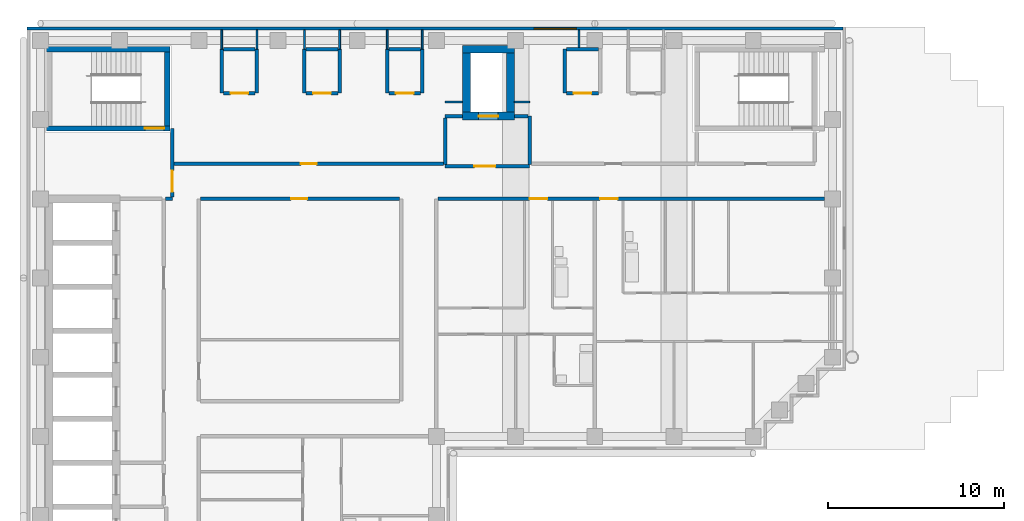
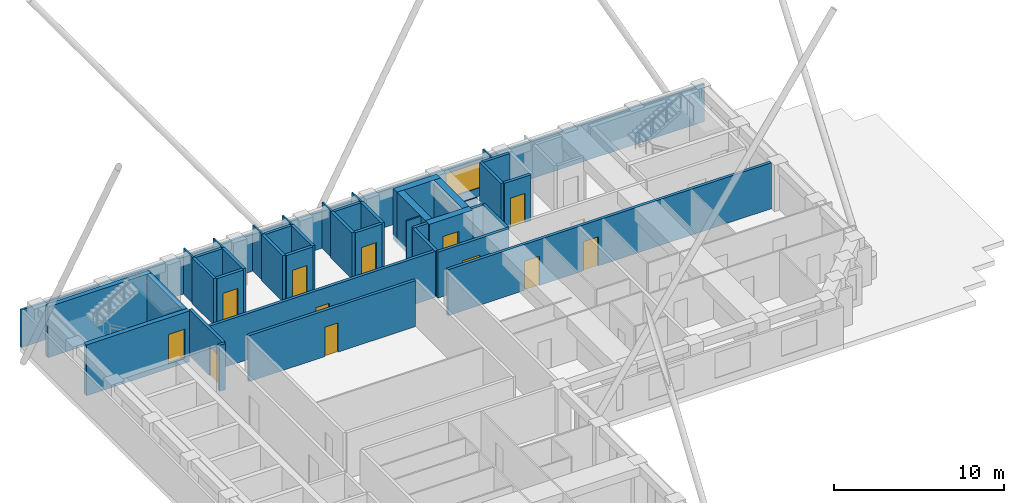
# One storey, part 5 of 8: 42 walls, 12 doors, 1 window, 13 openings.
"""IFC4 building model written with IfcOpenShell, lengths in metres."""

import ifcopenshell
import ifcopenshell.guid

model = None  # the IFC model being written
_history = None  # IfcOwnerHistory: only IFC2X3 demands one
_inside = {}  # id of a spatial element -> (the spatial element, [elements in it])
_under = {}  # id of a project, library or spatial element -> (it, [spatial elements below it])
_declared = {}  # id of a project -> (the project, [libraries it declares])
_typed = {}  # id of a type object -> (the type object, [elements of that type])
_made_of = {}  # id of a material, layer set ... -> (it, [elements and type objects made of it])


def new_model(schema):
    """Start an empty IFC model of exactly this schema.

    Asked for "IFC4X3", IfcOpenShell would pick the latest addendum, in which some entities
    have other attributes; the version numbers below select the first issue.
    IFC2X3 requires an IfcOwnerHistory on every rooted entity: one is made here for all.
    """
    global model, _history
    if schema == "IFC4X3":
        model = ifcopenshell.file(schema_version=(4, 3, 0, 0))
    else:
        model = ifcopenshell.file(schema=schema)
    _inside.clear()
    _under.clear()
    _declared.clear()
    _typed.clear()
    _made_of.clear()
    _history = None
    if model.schema == "IFC2X3":
        org = make("IfcOrganization", Name="unknown")
        user = make(
            "IfcPersonAndOrganization",
            ThePerson=make("IfcPerson", FamilyName="unknown"),
            TheOrganization=org,
        )
        app = make(
            "IfcApplication",
            ApplicationDeveloper=org,
            Version="unknown",
            ApplicationFullName="unknown",
            ApplicationIdentifier="unknown",
        )
        _history = make(
            "IfcOwnerHistory",
            OwningUser=user,
            OwningApplication=app,
            ChangeAction="ADDED",
            CreationDate=0,
        )
    return model


def make(cls, **values):
    """One entity of the class cls with the attributes given. An attribute that is None is left unset."""
    return model.create_entity(
        cls, **{name: value for name, value in values.items() if value is not None}
    )


def rooted(cls, **values):
    """An entity with a GlobalId (a new one), such as an element, a storey or a relation."""
    return make(cls, GlobalId=ifcopenshell.guid.new(), OwnerHistory=_history, **values)


def si_unit(unit_type, name, prefix=None):
    """IfcSIUnit, for example si_unit("LENGTHUNIT", "METRE", prefix="MILLI")."""
    return make("IfcSIUnit", UnitType=unit_type, Prefix=prefix, Name=name)


def assignment(units):
    """IfcUnitAssignment: the units of a project."""
    return None if units is None else make("IfcUnitAssignment", Units=units)


def point(xyz):
    """IfcCartesianPoint."""
    return None if xyz is None else make("IfcCartesianPoint", Coordinates=xyz)


def direction(xyz):
    """IfcDirection."""
    return None if xyz is None else make("IfcDirection", DirectionRatios=xyz)


def frame(location, z_axis=None, x_axis=None):
    """IfcAxis2Placement3D, a coordinate frame: its origin and axes. An axis left out is left unset."""
    return make(
        "IfcAxis2Placement3D",
        Location=point(location),
        Axis=direction(z_axis),
        RefDirection=direction(x_axis),
    )


def frame_2d(location, x_axis=None):
    """IfcAxis2Placement2D, a coordinate frame in the plane: its origin and x axis."""
    return make(
        "IfcAxis2Placement2D", Location=point(location), RefDirection=direction(x_axis)
    )


def origin():
    """The frame at (0, 0, 0) with its axes left unset."""
    return frame((0.0, 0.0, 0.0))


def place(relative_to, where):
    """IfcLocalPlacement: puts the frame where relative to a parent placement (None: the world)."""
    return make(
        "IfcLocalPlacement", PlacementRelTo=relative_to, RelativePlacement=where
    )


def context(
    kind, dimensions, precision=None, world=None, true_north=None, identifier=None
):
    """IfcGeometricRepresentationContext, for example the 3D "Model" context."""
    return make(
        "IfcGeometricRepresentationContext",
        ContextIdentifier=identifier,
        ContextType=kind,
        CoordinateSpaceDimension=dimensions,
        Precision=precision,
        WorldCoordinateSystem=world,
        TrueNorth=true_north,
    )


def subcontext(parent, identifier, kind, view, scale=None):
    """IfcGeometricRepresentationSubContext, for example "Body" below "Model"."""
    return make(
        "IfcGeometricRepresentationSubContext",
        ContextIdentifier=identifier,
        ContextType=kind,
        ParentContext=parent,
        TargetScale=scale,
        TargetView=view,
    )


def project(units=None, contexts=None):
    """IfcProject with its units and contexts."""
    return rooted(
        "IfcProject",
        Name="project",
        RepresentationContexts=contexts,
        UnitsInContext=assignment(units),
    )


def spatial(cls, under=None, at=None, **own):
    """A site, building, storey or space (cls), placed at a placement, below another one or the project."""
    s = rooted(cls, ObjectPlacement=at, **own)
    if under is not None:
        _under.setdefault(under.id(), (under, []))[1].append(s)
    return s


def profile(cls, at=None, kind="AREA", **sizes):
    """A parametric profile (cls). Its sizes go by their IFC names, for example OverallWidth=200.0."""
    return make(cls, ProfileType=kind, Position=at, **sizes)


def rectangle(**sizes):
    """IfcRectangleProfileDef."""
    return profile("IfcRectangleProfileDef", **sizes)


def extrude(swept, where, along, depth):
    """IfcExtrudedAreaSolid: the profile swept, set in the frame where, extruded along a direction by depth."""
    return make(
        "IfcExtrudedAreaSolid",
        SweptArea=swept,
        Position=where,
        ExtrudedDirection=direction(along),
        Depth=depth,
    )


def shape(context_of_items, identifier, shape_type, items):
    """IfcShapeRepresentation: the items that make up one representation, for example the "Body"."""
    return make(
        "IfcShapeRepresentation",
        ContextOfItems=context_of_items,
        RepresentationIdentifier=identifier,
        RepresentationType=shape_type,
        Items=items,
    )


def material(Name=None, Category=None):
    """IfcMaterial."""
    return make("IfcMaterial", Name=Name, Category=Category)


def layer(
    of_material, thickness, ventilated=None, Name=None, Category=None, Priority=None
):
    """IfcMaterialLayer: one layer of a wall or slab, of a material (None: an air gap)."""
    return make(
        "IfcMaterialLayer",
        Material=of_material,
        LayerThickness=thickness,
        IsVentilated=ventilated,
        Name=Name,
        Category=Category,
        Priority=Priority,
    )


def layer_set(layers, Name=None):
    """IfcMaterialLayerSet."""
    return make("IfcMaterialLayerSet", MaterialLayers=layers, LayerSetName=Name)


def made_of(thing, what):
    """Note that an element or type object is made of a material, layer set ...; save() writes the relation."""
    if what is not None:
        _made_of.setdefault(what.id(), (what, []))[1].append(thing)
    return thing


def type_object(cls, material=None, **own):
    """A type object (cls), such as IfcWallType, which elements share."""
    return made_of(rooted(cls, **own), material)


def element(
    cls,
    number,
    at=None,
    inside=None,
    cuts=None,
    type_object=None,
    material=None,
    context=None,
    identifier="Body",
    shape_type=None,
    held_by="IfcProductDefinitionShape",
    body=None,
    shapes=None,
    **own,
):
    """One element of the class cls, such as IfcWall. Its Tag is "e" and its number.

    at: its placement. inside: the storey or other place that contains it. cuts: it is an
    opening in that element (IfcRelVoidsElement). A single representation is given by context,
    identifier, shape_type and body (its items); several are given by shapes. held_by: the class
    of the entity that holds the representations. save() writes the other relations.
    """
    e = rooted(cls, Tag="e%d" % number, ObjectPlacement=at, **own)
    if body is not None:
        shapes = [shape(context, identifier, shape_type, body)]
    if shapes is not None:
        e.Representation = make(held_by, Representations=shapes)
    if inside is not None:
        _inside.setdefault(inside.id(), (inside, []))[1].append(e)
    if cuts is not None:
        rooted(
            "IfcRelVoidsElement", RelatingBuildingElement=cuts, RelatedOpeningElement=e
        )
    if type_object is not None:
        _typed.setdefault(type_object.id(), (type_object, []))[1].append(e)
    return made_of(e, material)


def fill(opening, filler):
    """IfcRelFillsElement: the door or window that sits in an opening."""
    return rooted(
        "IfcRelFillsElement",
        RelatingOpeningElement=opening,
        RelatedBuildingElement=filler,
    )


def aggregate(whole, parts):
    """IfcRelAggregates: a whole, such as a stair, and the parts it consists of."""
    return rooted("IfcRelAggregates", RelatingObject=whole, RelatedObjects=parts)


def save(model, path):
    """Write the relations noted so far, then the file.

    IfcRelAggregates (storeys below a building ...), IfcRelContainedInSpatialStructure (elements
    in a storey), IfcRelDefinesByType, IfcRelAssociatesMaterial and IfcRelDeclares: one each for
    every whole, place, type object, material and project.
    """
    for whole, parts in _under.values():
        aggregate(whole, parts)
    for where, things in _inside.values():
        rooted(
            "IfcRelContainedInSpatialStructure",
            RelatedElements=things,
            RelatingStructure=where,
        )
    for kind, things in _typed.values():
        rooted("IfcRelDefinesByType", RelatedObjects=things, RelatingType=kind)
    for what, things in _made_of.values():
        rooted("IfcRelAssociatesMaterial", RelatedObjects=things, RelatingMaterial=what)
    for by, libraries in _declared.values():
        rooted("IfcRelDeclares", RelatingContext=by, RelatedDefinitions=libraries)
    model.write(path)


model = new_model("IFC4")

# Units and contexts
model_context = context("Model", 3, precision=1e-05, world=origin(), true_north=direction((0.0, 1.0)))
body_context = subcontext(model_context, "Body", "Model", "MODEL_VIEW")
ifc_project = project(units=[si_unit("LENGTHUNIT", "METRE"), si_unit("AREAUNIT", "SQUARE_METRE"), si_unit("VOLUMEUNIT", "CUBIC_METRE"), si_unit("PLANEANGLEUNIT", "RADIAN"), si_unit("MASSUNIT", "GRAM", prefix="KILO")], contexts=[model_context])

# Site, building, storey
site_placement = place(None, origin())
site = spatial("IfcSite", under=ifc_project, at=site_placement, CompositionType="ELEMENT")
building_placement = place(site_placement, origin())
building = spatial("IfcBuilding", under=site, at=building_placement, Name="Firuza Court", CompositionType="ELEMENT")
storey_placement = place(building_placement, frame((0.0, 0.0, 233.0)))
storey = spatial("IfcBuildingStorey", under=building, at=storey_placement, Name="L60", CompositionType="ELEMENT", Elevation=233.0)

# Wall, opening, door
ifc_material_1 = material(Name="Concrete C50/60", Category="concrete")
ifc_layer_1 = layer(ifc_material_1, 0.300048828125)
ifc_layer_set_1 = layer_set([ifc_layer_1], Name="Concrete C50/60")
wall_type_1 = type_object("IfcWallType", Name="Core wall 300 C50/60", PredefinedType="SHEAR", material=ifc_layer_set_1)
wall_1_placement = place(storey_placement, frame((0.35009765625, 53.5, -0.35009765625), z_axis=(0.0, 0.0, 1.0), x_axis=(1.0, 0.0, 0.0)))
wall_1 = element("IfcWall", 1, at=wall_1_placement, inside=storey, type_object=wall_type_1, Name="Core wall stair L60", PredefinedType="SHEAR", context=body_context, shape_type="SweptSolid", body=[
    extrude(rectangle(XDim=7.0, YDim=0.300048828125, at=frame_2d((3.5, 0.0))), origin(), (0.0, 0.0, 1.0), 3.650146484375),
])
opening_1_placement = place(wall_1_placement, frame((5.580078125, 0.0, 0.35009765625)))
opening_1 = element("IfcOpeningElement", 2, at=opening_1_placement, cuts=wall_1, Name="Opening D60011", PredefinedType="OPENING", context=body_context, shape_type="SweptSolid", body=[
    extrude(rectangle(XDim=1.10009765625, YDim=2.10009765625, at=frame_2d((0.550048828125, 1.050048828125))), frame((0.0, 0.162109375, 0.0), z_axis=(0.0, -1.0, 0.0), x_axis=(1.0, 0.0, 0.0)), (0.0, 0.0, 1.0), 0.323974609375),
])
ifc_material_2 = material(Name="Timber door leaf in hardwood frame", Category="wood")
door_type_1 = type_object("IfcDoorType", Name="Stair door 1100", OperationType="SINGLE_SWING_LEFT", PredefinedType="DOOR", material=ifc_material_2)
door_1_placement = place(opening_1_placement, origin())
door_1 = element("IfcDoor", 3, at=door_1_placement, inside=storey, type_object=door_type_1, Name="Stair door S3", OperationType="SINGLE_SWING_RIGHT", OverallHeight=2.10009765625, OverallWidth=1.10009765625, PredefinedType="DOOR", context=body_context, shape_type="SweptSolid", body=[
    extrude(rectangle(XDim=1.10009765625, YDim=2.10009765625, at=frame_2d((0.550048828125, 1.050048828125))), frame((0.0, 0.02490234375, 0.0), z_axis=(0.0, -1.0, 0.0), x_axis=(1.0, 0.0, 0.0)), (0.0, 0.0, 1.0), 0.050048828125),
])
fill(opening_1, door_1)

# Walls
wall_2_placement = place(storey_placement, frame((0.35009765625, 58.0, -0.35009765625), z_axis=(0.0, 0.0, 1.0), x_axis=(1.0, 0.0, 0.0)))
element("IfcWall", 4, at=wall_2_placement, inside=storey, type_object=wall_type_1, Name="Core wall stair L60", PredefinedType="SHEAR", context=body_context, shape_type="SweptSolid", body=[
    extrude(rectangle(XDim=7.0, YDim=0.300048828125, at=frame_2d((3.5, 0.0))), origin(), (0.0, 0.0, 1.0), 3.650146484375),
])
wall_3_placement = place(storey_placement, frame((7.199951171875, 53.64990234375, -0.35009765625), z_axis=(0.0, 0.0, 1.0), x_axis=(0.0, 1.0, 0.0)))
element("IfcWall", 5, at=wall_3_placement, inside=storey, type_object=wall_type_1, Name="Core wall stair L60", PredefinedType="SHEAR", context=body_context, shape_type="SweptSolid", body=[
    extrude(rectangle(XDim=4.2001953125, YDim=0.300048828125, at=frame_2d((2.10009765625, 0.0))), origin(), (0.0, 0.0, 1.0), 3.650146484375),
])

# Wall, opening, door
ifc_layer_2 = layer(ifc_material_1, 0.449951171875)
ifc_layer_set_2 = layer_set([ifc_layer_2], Name="Concrete C50/60")
wall_type_2 = type_object("IfcWallType", Name="Core wall 450 C50/60", PredefinedType="SHEAR", material=ifc_layer_set_2)
wall_4_placement = place(storey_placement, frame((23.97509765625, 54.199951171875, -0.35009765625), z_axis=(0.0, 0.0, 1.0), x_axis=(1.0, 0.0, 0.0)))
wall_4 = element("IfcWall", 6, at=wall_4_placement, inside=storey, type_object=wall_type_2, Name="Core wall lift shaft L60", PredefinedType="SHEAR", context=body_context, shape_type="SweptSolid", body=[
    extrude(rectangle(XDim=2.949951171875, YDim=0.449951171875, at=frame_2d((1.47509765625, 0.0))), origin(), (0.0, 0.0, 1.0), 3.650146484375),
])
opening_2_placement = place(wall_4_placement, frame((0.925048828125, 0.0, 0.35009765625)))
opening_2 = element("IfcOpeningElement", 7, at=opening_2_placement, cuts=wall_4, Name="Opening LD-FL3-60", PredefinedType="OPENING", context=body_context, shape_type="SweptSolid", body=[
    extrude(rectangle(XDim=1.10009765625, YDim=2.10009765625, at=frame_2d((0.550048828125, 1.050048828125))), frame((0.0, 0.23681640625, 0.0), z_axis=(0.0, -1.0, 0.0), x_axis=(1.0, 0.0, 0.0)), (0.0, 0.0, 1.0), 0.473876953125),
])
ifc_material_3 = material(Name="Stainless steel 1.4301 door leaf", Category="steel")
door_type_2 = type_object("IfcDoorType", Name="Lift landing door 1100", OperationType="SLIDING_TO_LEFT", PredefinedType="DOOR", material=ifc_material_3)
door_2_placement = place(opening_2_placement, origin())
door_2 = element("IfcDoor", 8, at=door_2_placement, inside=storey, type_object=door_type_2, Name="Landing door FL3", OperationType="SLIDING_TO_LEFT", OverallHeight=2.10009765625, OverallWidth=1.10009765625, PredefinedType="DOOR", context=body_context, shape_type="SweptSolid", body=[
    extrude(rectangle(XDim=1.10009765625, YDim=2.10009765625, at=frame_2d((0.550048828125, 1.050048828125))), frame((0.0, 0.02490234375, 0.0), z_axis=(0.0, -1.0, 0.0), x_axis=(1.0, 0.0, 0.0)), (0.0, 0.0, 1.0), 0.050048828125),
])
fill(opening_2, door_2)

# Walls
wall_5_placement = place(storey_placement, frame((23.97509765625, 58.0, -0.35009765625), z_axis=(0.0, 0.0, 1.0), x_axis=(1.0, 0.0, 0.0)))
element("IfcWall", 9, at=wall_5_placement, inside=storey, type_object=wall_type_2, Name="Core wall lift shaft L60", PredefinedType="SHEAR", context=body_context, shape_type="SweptSolid", body=[
    extrude(rectangle(XDim=2.949951171875, YDim=0.449951171875, at=frame_2d((1.47509765625, 0.0))), origin(), (0.0, 0.0, 1.0), 3.650146484375),
])
for number, where, z_axis, x_axis, name in (
    (10, (24.199951171875, 54.425048828125, -0.35009765625), (0.0, 0.0, 1.0), (0.0, 1.0, 0.0), "Core wall lift shaft L60"),
    (11, (26.699951171875, 54.425048828125, -0.35009765625), (0.0, 0.0, 1.0), (0.0, 1.0, 0.0), "Core wall lift shaft L60"),
):
    element("IfcWall", number, at=place(storey_placement, frame(where, z_axis=z_axis, x_axis=x_axis)), inside=storey, type_object=wall_type_2, Name=name, PredefinedType="SHEAR", context=body_context, shape_type="SweptSolid", body=[
        extrude(rectangle(XDim=3.349853515625, YDim=0.449951171875, at=frame_2d((1.6748046875, 0.0))), origin(), (0.0, 0.0, 1.0), 3.650146484375),
    ])

# Wall, opening, door
ifc_material_4 = material(Name="Blockwork, plastered both sides", Category="masonry")
ifc_layer_3 = layer(ifc_material_4, 0.199951171875)
ifc_layer_set_3 = layer_set([ifc_layer_3], Name="Blockwork, plastered both sides")
wall_type_3 = type_object("IfcWallType", Name="Corridor wall 200", PredefinedType="PARTITIONING", material=ifc_layer_set_3)
wall_6_placement = place(storey_placement, frame((9.10009765625, 49.5, 0.0), z_axis=(0.0, 0.0, 1.0), x_axis=(1.0, 0.0, 0.0)))
wall_6 = element("IfcWall", 12, at=wall_6_placement, inside=storey, type_object=wall_type_3, Name="Corridor wall 200 L60", PredefinedType="PARTITIONING", context=body_context, shape_type="SweptSolid", body=[
    extrude(rectangle(XDim=11.2998046875, YDim=0.199951171875, at=frame_2d((5.64990234375, 0.0))), origin(), (0.0, 0.0, 1.0), 3.300048828125),
])
opening_3_placement = place(wall_6_placement, frame((5.14990234375, 0.0, 0.0)))
opening_3 = element("IfcOpeningElement", 13, at=opening_3_placement, cuts=wall_6, Name="Opening D60037", PredefinedType="OPENING", context=body_context, shape_type="SweptSolid", body=[
    extrude(rectangle(XDim=0.89990234375, YDim=2.10009765625, at=frame_2d((0.449951171875, 1.050048828125))), frame((0.0, 0.11181640625, 0.0), z_axis=(0.0, -1.0, 0.0), x_axis=(1.0, 0.0, 0.0)), (0.0, 0.0, 1.0), 0.223876953125),
])
ifc_material_5 = material(Name="Timber door leaf in hardwood frame", Category="wood")
door_type_3 = type_object("IfcDoorType", Name="Room door 900 EI 30", OperationType="SINGLE_SWING_LEFT", PredefinedType="DOOR", material=ifc_material_5)
door_3_placement = place(opening_3_placement, origin())
door_3 = element("IfcDoor", 14, at=door_3_placement, inside=storey, type_object=door_type_3, Name="Residents' club lounge door", OperationType="SINGLE_SWING_LEFT", OverallHeight=2.10009765625, OverallWidth=0.89990234375, PredefinedType="DOOR", context=body_context, shape_type="SweptSolid", body=[
    extrude(rectangle(XDim=0.89990234375, YDim=2.10009765625, at=frame_2d((0.449951171875, 1.050048828125))), frame((0.0, 0.02490234375, 0.0), z_axis=(0.0, -1.0, 0.0), x_axis=(1.0, 0.0, 0.0)), (0.0, 0.0, 1.0), 0.050048828125),
])
fill(opening_3, door_3)

# Wall, openings, doors
wall_7_placement = place(storey_placement, frame((22.60009765625, 49.5, 0.0), z_axis=(0.0, 0.0, 1.0), x_axis=(1.0, 0.0, 0.0)))
wall_7 = element("IfcWall", 15, at=wall_7_placement, inside=storey, type_object=wall_type_3, Name="Corridor wall 200 L60", PredefinedType="PARTITIONING", context=body_context, shape_type="SweptSolid", body=[
    extrude(rectangle(XDim=21.949951171875, YDim=0.199951171875, at=frame_2d((10.97509765625, 0.0))), origin(), (0.0, 0.0, 1.0), 3.300048828125),
])
opening_4_placement = place(wall_7_placement, frame((5.199951171875, 0.0, 0.0)))
opening_4 = element("IfcOpeningElement", 16, at=opening_4_placement, cuts=wall_7, Name="Opening D60038", PredefinedType="OPENING", context=body_context, shape_type="SweptSolid", body=[
    extrude(rectangle(XDim=1.0, YDim=2.10009765625, at=frame_2d((0.5, 1.050048828125))), frame((0.0, 0.11181640625, 0.0), z_axis=(0.0, -1.0, 0.0), x_axis=(1.0, 0.0, 0.0)), (0.0, 0.0, 1.0), 0.223876953125),
])
opening_5_placement = place(wall_7_placement, frame((9.199951171875, 0.0, 0.0)))
opening_5 = element("IfcOpeningElement", 17, at=opening_5_placement, cuts=wall_7, Name="Opening D60039", PredefinedType="OPENING", context=body_context, shape_type="SweptSolid", body=[
    extrude(rectangle(XDim=1.0, YDim=2.10009765625, at=frame_2d((0.5, 1.050048828125))), frame((0.0, 0.11181640625, 0.0), z_axis=(0.0, -1.0, 0.0), x_axis=(1.0, 0.0, 0.0)), (0.0, 0.0, 1.0), 0.223876953125),
])
ifc_material_6 = material(Name="Timber door leaf in hardwood frame", Category="wood")
door_type_4 = type_object("IfcDoorType", Name="Flat entrance door 1000", OperationType="SINGLE_SWING_LEFT", PredefinedType="DOOR", material=ifc_material_6)
door_4_placement = place(opening_4_placement, origin())
door_4 = element("IfcDoor", 18, at=door_4_placement, inside=storey, type_object=door_type_4, Name="Flat entrance door", OperationType="SINGLE_SWING_LEFT", OverallHeight=2.10009765625, OverallWidth=1.0, PredefinedType="DOOR", context=body_context, shape_type="SweptSolid", body=[
    extrude(rectangle(XDim=1.0, YDim=2.10009765625, at=frame_2d((0.5, 1.050048828125))), frame((0.0, 0.02490234375, 0.0), z_axis=(0.0, -1.0, 0.0), x_axis=(1.0, 0.0, 0.0)), (0.0, 0.0, 1.0), 0.050048828125),
])
fill(opening_4, door_4)
door_5_placement = place(opening_5_placement, origin())
door_5 = element("IfcDoor", 19, at=door_5_placement, inside=storey, type_object=door_type_4, Name="Flat entrance door", OperationType="SINGLE_SWING_LEFT", OverallHeight=2.10009765625, OverallWidth=1.0, PredefinedType="DOOR", context=body_context, shape_type="SweptSolid", body=[
    extrude(rectangle(XDim=1.0, YDim=2.10009765625, at=frame_2d((0.5, 1.050048828125))), frame((0.0, 0.02490234375, 0.0), z_axis=(0.0, -1.0, 0.0), x_axis=(1.0, 0.0, 0.0)), (0.0, 0.0, 1.0), 0.050048828125),
])
fill(opening_5, door_5)

# Wall, opening, door
wall_8_placement = place(storey_placement, frame((7.60009765625, 51.5, 0.0), z_axis=(0.0, 0.0, 1.0), x_axis=(1.0, 0.0, 0.0)))
wall_8 = element("IfcWall", 20, at=wall_8_placement, inside=storey, type_object=wall_type_3, Name="Corridor wall 200 L60", PredefinedType="PARTITIONING", context=body_context, shape_type="SweptSolid", body=[
    extrude(rectangle(XDim=15.2998046875, YDim=0.199951171875, at=frame_2d((7.64990234375, 0.0))), origin(), (0.0, 0.0, 1.0), 3.300048828125),
])
opening_6_placement = place(wall_8_placement, frame((7.199951171875, 0.0, 0.0)))
opening_6 = element("IfcOpeningElement", 21, at=opening_6_placement, cuts=wall_8, Name="Opening D60040", PredefinedType="OPENING", context=body_context, shape_type="SweptSolid", body=[
    extrude(rectangle(XDim=0.89990234375, YDim=2.10009765625, at=frame_2d((0.449951171875, 1.050048828125))), frame((0.0, 0.11181640625, 0.0), z_axis=(0.0, -1.0, 0.0), x_axis=(1.0, 0.0, 0.0)), (0.0, 0.0, 1.0), 0.223876953125),
])
door_6_placement = place(opening_6_placement, origin())
door_6 = element("IfcDoor", 22, at=door_6_placement, inside=storey, type_object=door_type_3, Name="Residents' workroom door", OperationType="SINGLE_SWING_LEFT", OverallHeight=2.10009765625, OverallWidth=0.89990234375, PredefinedType="DOOR", context=body_context, shape_type="SweptSolid", body=[
    extrude(rectangle(XDim=0.89990234375, YDim=2.10009765625, at=frame_2d((0.449951171875, 1.050048828125))), frame((0.0, 0.02490234375, 0.0), z_axis=(0.0, -1.0, 0.0), x_axis=(1.0, 0.0, 0.0)), (0.0, 0.0, 1.0), 0.050048828125),
])
fill(opening_6, door_6)

# Walls
ifc_material_7 = material(Name="Timber stud partition, plasterboard both sides", Category="wood")
ifc_layer_4 = layer(ifc_material_7, 0.10009765625)
ifc_layer_set_4 = layer_set([ifc_layer_4], Name="Timber stud partition, plasterboard both sides")
wall_type_4 = type_object("IfcWallType", Name="Partition wall 100", PredefinedType="PARTITIONING", material=ifc_layer_set_4)
wall_9_placement = place(storey_placement, frame((23.0, 55.0, 0.0), z_axis=(0.0, 0.0, 1.0), x_axis=(1.0, 0.0, 0.0)))
element("IfcWall", 23, at=wall_9_placement, inside=storey, type_object=wall_type_4, Name="Partition wall 100 L60", PredefinedType="PARTITIONING", context=body_context, shape_type="SweptSolid", body=[
    extrude(rectangle(XDim=0.97509765625, YDim=0.10009765625, at=frame_2d((0.487548828125, 0.0))), origin(), (0.0, 0.0, 1.0), 3.300048828125),
])
wall_10_placement = place(storey_placement, frame((26.925048828125, 55.0, 0.0), z_axis=(0.0, 0.0, 1.0), x_axis=(1.0, 0.0, 0.0)))
element("IfcWall", 24, at=wall_10_placement, inside=storey, type_object=wall_type_4, Name="Partition wall 100 L60", PredefinedType="PARTITIONING", context=body_context, shape_type="SweptSolid", body=[
    extrude(rectangle(XDim=0.875, YDim=0.10009765625, at=frame_2d((0.4375, 0.0))), origin(), (0.0, 0.0, 1.0), 3.300048828125),
])
for number, where, z_axis, x_axis, name in (
    (25, (10.300048828125, 58.0, 0.0), (0.0, 0.0, 1.0), (0.0, 1.0, 0.0), "Partition wall 100 L60"),
    (26, (12.300048828125, 58.0, 0.0), (0.0, 0.0, 1.0), (0.0, 1.0, 0.0), "Partition wall 100 L60"),
    (27, (15.0, 58.0, 0.0), (0.0, 0.0, 1.0), (0.0, 1.0, 0.0), "Partition wall 100 L60"),
    (28, (17.0, 58.0, 0.0), (0.0, 0.0, 1.0), (0.0, 1.0, 0.0), "Partition wall 100 L60"),
    (29, (19.699951171875, 58.0, 0.0), (0.0, 0.0, 1.0), (0.0, 1.0, 0.0), "Partition wall 100 L60"),
    (30, (21.699951171875, 58.0, 0.0), (0.0, 0.0, 1.0), (0.0, 1.0, 0.0), "Partition wall 100 L60"),
):
    element("IfcWall", number, at=place(storey_placement, frame(where, z_axis=z_axis, x_axis=x_axis)), inside=storey, type_object=wall_type_4, Name=name, PredefinedType="PARTITIONING", context=body_context, shape_type="SweptSolid", body=[
        extrude(rectangle(XDim=1.10009765625, YDim=0.10009765625, at=frame_2d((0.550048828125, 0.0))), origin(), (0.0, 0.0, 1.0), 3.300048828125),
    ])
wall_11_placement = place(storey_placement, frame((30.60009765625, 58.10009765625, 0.0), z_axis=(0.0, 0.0, 1.0), x_axis=(0.0, 1.0, 0.0)))
element("IfcWall", 31, at=wall_11_placement, inside=storey, type_object=wall_type_4, Name="Partition wall 100 L60", PredefinedType="PARTITIONING", context=body_context, shape_type="SweptSolid", body=[
    extrude(rectangle(XDim=1.0, YDim=0.10009765625, at=frame_2d((0.5, 0.0))), origin(), (0.0, 0.0, 1.0), 3.300048828125),
])
ifc_material_8 = material(Name="Blockwork, fire-rated", Category="masonry")
ifc_layer_5 = layer(ifc_material_8, 0.199951171875)
ifc_layer_set_5 = layer_set([ifc_layer_5], Name="Blockwork, fire-rated")
wall_type_5 = type_object("IfcWallType", Name="Plant room wall 200", PredefinedType="PARTITIONING", material=ifc_layer_set_5)
wall_12_placement = place(storey_placement, frame((10.300048828125, 55.5, 0.0), z_axis=(0.0, 0.0, 1.0), x_axis=(0.0, 1.0, 0.0)))
element("IfcWall", 32, at=wall_12_placement, inside=storey, type_object=wall_type_5, Name="Plant room wall 200 L60", PredefinedType="PARTITIONING", context=body_context, shape_type="SweptSolid", body=[
    extrude(rectangle(XDim=2.5, YDim=0.199951171875, at=frame_2d((1.25, 0.0))), origin(), (0.0, 0.0, 1.0), 3.300048828125),
])

# Wall, opening, door
wall_13_placement = place(storey_placement, frame((10.39990234375, 55.5, 0.0), z_axis=(0.0, 0.0, 1.0), x_axis=(1.0, 0.0, 0.0)))
wall_13 = element("IfcWall", 33, at=wall_13_placement, inside=storey, type_object=wall_type_5, Name="Plant room wall 200 L60", PredefinedType="PARTITIONING", context=body_context, shape_type="SweptSolid", body=[
    extrude(rectangle(XDim=1.800048828125, YDim=0.199951171875, at=frame_2d((0.89990234375, 0.0))), origin(), (0.0, 0.0, 1.0), 3.300048828125),
])
opening_7_placement = place(wall_13_placement, frame((0.39990234375, 0.0, 0.0)))
opening_7 = element("IfcOpeningElement", 34, at=opening_7_placement, cuts=wall_13, Name="Opening D60042", PredefinedType="OPENING", context=body_context, shape_type="SweptSolid", body=[
    extrude(rectangle(XDim=1.0, YDim=2.10009765625, at=frame_2d((0.5, 1.050048828125))), frame((0.0, 0.11181640625, 0.0), z_axis=(0.0, -1.0, 0.0), x_axis=(1.0, 0.0, 0.0)), (0.0, 0.0, 1.0), 0.223876953125),
])
ifc_material_9 = material(Name="Timber door leaf in hardwood frame", Category="wood")
door_type_5 = type_object("IfcDoorType", Name="Riser door 1000", OperationType="SINGLE_SWING_LEFT", PredefinedType="DOOR", material=ifc_material_9)
door_7_placement = place(opening_7_placement, origin())
door_7 = element("IfcDoor", 35, at=door_7_placement, inside=storey, type_object=door_type_5, Name="Comms riser door", OperationType="SINGLE_SWING_LEFT", OverallHeight=2.10009765625, OverallWidth=1.0, PredefinedType="DOOR", context=body_context, shape_type="SweptSolid", body=[
    extrude(rectangle(XDim=1.0, YDim=2.10009765625, at=frame_2d((0.5, 1.050048828125))), frame((0.0, 0.02490234375, 0.0), z_axis=(0.0, -1.0, 0.0), x_axis=(1.0, 0.0, 0.0)), (0.0, 0.0, 1.0), 0.050048828125),
])
fill(opening_7, door_7)

# Walls
for number, where, z_axis, x_axis, name in (
    (36, (12.300048828125, 55.5, 0.0), (0.0, 0.0, 1.0), (0.0, 1.0, 0.0), "Plant room wall 200 L60"),
    (37, (15.0, 55.5, 0.0), (0.0, 0.0, 1.0), (0.0, 1.0, 0.0), "Plant room wall 200 L60"),
):
    element("IfcWall", number, at=place(storey_placement, frame(where, z_axis=z_axis, x_axis=x_axis)), inside=storey, type_object=wall_type_5, Name=name, PredefinedType="PARTITIONING", context=body_context, shape_type="SweptSolid", body=[
        extrude(rectangle(XDim=2.5, YDim=0.199951171875, at=frame_2d((1.25, 0.0))), origin(), (0.0, 0.0, 1.0), 3.300048828125),
    ])

# Wall, opening, door
wall_14_placement = place(storey_placement, frame((15.10009765625, 55.5, 0.0), z_axis=(0.0, 0.0, 1.0), x_axis=(1.0, 0.0, 0.0)))
wall_14 = element("IfcWall", 38, at=wall_14_placement, inside=storey, type_object=wall_type_5, Name="Plant room wall 200 L60", PredefinedType="PARTITIONING", context=body_context, shape_type="SweptSolid", body=[
    extrude(rectangle(XDim=1.7998046875, YDim=0.199951171875, at=frame_2d((0.89990234375, 0.0))), origin(), (0.0, 0.0, 1.0), 3.300048828125),
])
opening_8_placement = place(wall_14_placement, frame((0.39990234375, 0.0, 0.0)))
opening_8 = element("IfcOpeningElement", 39, at=opening_8_placement, cuts=wall_14, Name="Opening D60043", PredefinedType="OPENING", context=body_context, shape_type="SweptSolid", body=[
    extrude(rectangle(XDim=1.0, YDim=2.10009765625, at=frame_2d((0.5, 1.050048828125))), frame((0.0, 0.11181640625, 0.0), z_axis=(0.0, -1.0, 0.0), x_axis=(1.0, 0.0, 0.0)), (0.0, 0.0, 1.0), 0.223876953125),
])
door_8_placement = place(opening_8_placement, origin())
door_8 = element("IfcDoor", 40, at=door_8_placement, inside=storey, type_object=door_type_5, Name="Electrical riser door", OperationType="SINGLE_SWING_LEFT", OverallHeight=2.10009765625, OverallWidth=1.0, PredefinedType="DOOR", context=body_context, shape_type="SweptSolid", body=[
    extrude(rectangle(XDim=1.0, YDim=2.10009765625, at=frame_2d((0.5, 1.050048828125))), frame((0.0, 0.02490234375, 0.0), z_axis=(0.0, -1.0, 0.0), x_axis=(1.0, 0.0, 0.0)), (0.0, 0.0, 1.0), 0.050048828125),
])
fill(opening_8, door_8)

# Walls
for number, where, z_axis, x_axis, name in (
    (41, (17.0, 55.5, 0.0), (0.0, 0.0, 1.0), (0.0, 1.0, 0.0), "Plant room wall 200 L60"),
    (42, (19.699951171875, 55.5, 0.0), (0.0, 0.0, 1.0), (0.0, 1.0, 0.0), "Plant room wall 200 L60"),
):
    element("IfcWall", number, at=place(storey_placement, frame(where, z_axis=z_axis, x_axis=x_axis)), inside=storey, type_object=wall_type_5, Name=name, PredefinedType="PARTITIONING", context=body_context, shape_type="SweptSolid", body=[
        extrude(rectangle(XDim=2.5, YDim=0.199951171875, at=frame_2d((1.25, 0.0))), origin(), (0.0, 0.0, 1.0), 3.300048828125),
    ])

# Wall, opening, door
wall_15_placement = place(storey_placement, frame((19.800048828125, 55.5, 0.0), z_axis=(0.0, 0.0, 1.0), x_axis=(1.0, 0.0, 0.0)))
wall_15 = element("IfcWall", 43, at=wall_15_placement, inside=storey, type_object=wall_type_5, Name="Plant room wall 200 L60", PredefinedType="PARTITIONING", context=body_context, shape_type="SweptSolid", body=[
    extrude(rectangle(XDim=1.800048828125, YDim=0.199951171875, at=frame_2d((0.89990234375, 0.0))), origin(), (0.0, 0.0, 1.0), 3.300048828125),
])
opening_9_placement = place(wall_15_placement, frame((0.39990234375, 0.0, 0.0)))
opening_9 = element("IfcOpeningElement", 44, at=opening_9_placement, cuts=wall_15, Name="Opening D60044", PredefinedType="OPENING", context=body_context, shape_type="SweptSolid", body=[
    extrude(rectangle(XDim=1.0, YDim=2.10009765625, at=frame_2d((0.5, 1.050048828125))), frame((0.0, 0.11181640625, 0.0), z_axis=(0.0, -1.0, 0.0), x_axis=(1.0, 0.0, 0.0)), (0.0, 0.0, 1.0), 0.223876953125),
])
door_9_placement = place(opening_9_placement, origin())
door_9 = element("IfcDoor", 45, at=door_9_placement, inside=storey, type_object=door_type_5, Name="Duct riser door", OperationType="SINGLE_SWING_LEFT", OverallHeight=2.10009765625, OverallWidth=1.0, PredefinedType="DOOR", context=body_context, shape_type="SweptSolid", body=[
    extrude(rectangle(XDim=1.0, YDim=2.10009765625, at=frame_2d((0.5, 1.050048828125))), frame((0.0, 0.02490234375, 0.0), z_axis=(0.0, -1.0, 0.0), x_axis=(1.0, 0.0, 0.0)), (0.0, 0.0, 1.0), 0.050048828125),
])
fill(opening_9, door_9)

# Walls
for number, where, z_axis, x_axis, name in (
    (46, (21.699951171875, 55.5, 0.0), (0.0, 0.0, 1.0), (0.0, 1.0, 0.0), "Plant room wall 200 L60"),
    (47, (29.800048828125, 55.5, 0.0), (0.0, 0.0, 1.0), (0.0, 1.0, 0.0), "Plant room wall 200 L60"),
):
    element("IfcWall", number, at=place(storey_placement, frame(where, z_axis=z_axis, x_axis=x_axis)), inside=storey, type_object=wall_type_5, Name=name, PredefinedType="PARTITIONING", context=body_context, shape_type="SweptSolid", body=[
        extrude(rectangle(XDim=2.5, YDim=0.199951171875, at=frame_2d((1.25, 0.0))), origin(), (0.0, 0.0, 1.0), 3.300048828125),
    ])

# Wall, opening, door
wall_16_placement = place(storey_placement, frame((29.89990234375, 55.5, 0.0), z_axis=(0.0, 0.0, 1.0), x_axis=(1.0, 0.0, 0.0)))
wall_16 = element("IfcWall", 48, at=wall_16_placement, inside=storey, type_object=wall_type_5, Name="Plant room wall 200 L60", PredefinedType="PARTITIONING", context=body_context, shape_type="SweptSolid", body=[
    extrude(rectangle(XDim=1.800048828125, YDim=0.199951171875, at=frame_2d((0.89990234375, 0.0))), origin(), (0.0, 0.0, 1.0), 3.300048828125),
])
opening_10_placement = place(wall_16_placement, frame((0.39990234375, 0.0, 0.0)))
opening_10 = element("IfcOpeningElement", 49, at=opening_10_placement, cuts=wall_16, Name="Opening D60045", PredefinedType="OPENING", context=body_context, shape_type="SweptSolid", body=[
    extrude(rectangle(XDim=1.0, YDim=2.10009765625, at=frame_2d((0.5, 1.050048828125))), frame((0.0, 0.11181640625, 0.0), z_axis=(0.0, -1.0, 0.0), x_axis=(1.0, 0.0, 0.0)), (0.0, 0.0, 1.0), 0.223876953125),
])
door_10_placement = place(opening_10_placement, origin())
door_10 = element("IfcDoor", 50, at=door_10_placement, inside=storey, type_object=door_type_5, Name="Electrical riser door", OperationType="SINGLE_SWING_LEFT", OverallHeight=2.10009765625, OverallWidth=1.0, PredefinedType="DOOR", context=body_context, shape_type="SweptSolid", body=[
    extrude(rectangle(XDim=1.0, YDim=2.10009765625, at=frame_2d((0.5, 1.050048828125))), frame((0.0, 0.02490234375, 0.0), z_axis=(0.0, -1.0, 0.0), x_axis=(1.0, 0.0, 0.0)), (0.0, 0.0, 1.0), 0.050048828125),
])
fill(opening_10, door_10)

# Walls
wall_17_placement = place(storey_placement, frame((10.39990234375, 58.0, 0.0), z_axis=(0.0, 0.0, 1.0), x_axis=(1.0, 0.0, 0.0)))
element("IfcWall", 51, at=wall_17_placement, inside=storey, type_object=wall_type_5, Name="Plant room wall 200 L60", PredefinedType="PARTITIONING", context=body_context, shape_type="SweptSolid", body=[
    extrude(rectangle(XDim=1.800048828125, YDim=0.199951171875, at=frame_2d((0.89990234375, 0.0))), origin(), (0.0, 0.0, 1.0), 3.300048828125),
])
wall_18_placement = place(storey_placement, frame((15.10009765625, 58.0, 0.0), z_axis=(0.0, 0.0, 1.0), x_axis=(1.0, 0.0, 0.0)))
element("IfcWall", 52, at=wall_18_placement, inside=storey, type_object=wall_type_5, Name="Plant room wall 200 L60", PredefinedType="PARTITIONING", context=body_context, shape_type="SweptSolid", body=[
    extrude(rectangle(XDim=1.7998046875, YDim=0.199951171875, at=frame_2d((0.89990234375, 0.0))), origin(), (0.0, 0.0, 1.0), 3.300048828125),
])
for number, where, z_axis, x_axis, name in (
    (53, (19.800048828125, 58.0, 0.0), (0.0, 0.0, 1.0), (1.0, 0.0, 0.0), "Plant room wall 200 L60"),
    (54, (29.89990234375, 58.0, 0.0), (0.0, 0.0, 1.0), (1.0, 0.0, 0.0), "Plant room wall 200 L60"),
):
    element("IfcWall", number, at=place(storey_placement, frame(where, z_axis=z_axis, x_axis=x_axis)), inside=storey, type_object=wall_type_5, Name=name, PredefinedType="PARTITIONING", context=body_context, shape_type="SweptSolid", body=[
        extrude(rectangle(XDim=1.800048828125, YDim=0.199951171875, at=frame_2d((0.89990234375, 0.0))), origin(), (0.0, 0.0, 1.0), 3.300048828125),
    ])

# Wall, opening, window
ifc_material_10 = material(Name="Ceramic tile", Category="ceramic")
ifc_layer_6 = layer(ifc_material_10, 0.02001953125)
ifc_material_11 = material(Name="Mineral wool insulation", Category="insulation")
ifc_layer_7 = layer(ifc_material_11, 0.050048828125)
ifc_material_12 = material(Name="Concrete C40/50 precast", Category="concrete")
ifc_layer_8 = layer(ifc_material_12, 0.080078125)
ifc_layer_set_6 = layer_set([ifc_layer_6, ifc_layer_7, ifc_layer_8], Name="Concrete C40/50 precast")
wall_type_6 = type_object("IfcWallType", Name="Precast cladding wall with turquoise TILE PANEL face 150", PredefinedType="STANDARD", material=ifc_layer_set_6)
wall_19_placement = place(storey_placement, frame((45.60009765625, 59.175048828125, 0.0), z_axis=(0.0, 0.0, 1.0), x_axis=(-1.0, 0.0, 0.0)))
wall_19 = element("IfcWall", 55, at=wall_19_placement, inside=storey, type_object=wall_type_6, Name="Facade wall L60 N", PredefinedType="STANDARD", context=body_context, shape_type="SweptSolid", body=[
    extrude(rectangle(XDim=46.35009765625, YDim=0.14990234375, at=frame_2d((23.175048828125, 0.0))), origin(), (0.0, 0.0, 1.0), 2.699951171875),
])
opening_11_placement = place(wall_19_placement, frame((15.14990234375, 0.0, 0.60009765625)))
opening_11 = element("IfcOpeningElement", 56, at=opening_11_placement, cuts=wall_19, Name="Opening W1", PredefinedType="OPENING", context=body_context, shape_type="SweptSolid", body=[
    extrude(rectangle(XDim=2.39990234375, YDim=1.800048828125, at=frame_2d((1.199951171875, 0.89990234375))), frame((0.0, 0.0869140625, 0.0), z_axis=(0.0, -1.0, 0.0), x_axis=(1.0, 0.0, 0.0)), (0.0, 0.0, 1.0), 0.173828125),
])
ifc_material_13 = material(Name="Aluminium frame, triple clear glazing", Category="aluminium")
window_type = type_object("IfcWindowType", Name="Window W1 2400 x 1800", PartitioningType="SINGLE_PANEL", PredefinedType="WINDOW", material=ifc_material_13)
window_placement = place(opening_11_placement, origin())
window = element("IfcWindow", 57, at=window_placement, inside=storey, type_object=window_type, Name="Window L60", OverallHeight=1.800048828125, OverallWidth=2.39990234375, PartitioningType="SINGLE_PANEL", PredefinedType="WINDOW", context=body_context, shape_type="SweptSolid", body=[
    extrude(rectangle(XDim=2.39990234375, YDim=1.800048828125, at=frame_2d((1.199951171875, 0.89990234375))), frame((0.0, 0.030029296875, 0.0), z_axis=(0.0, -1.0, 0.0), x_axis=(1.0, 0.0, 0.0)), (0.0, 0.0, 1.0), 0.06005859375),
])
fill(opening_11, window)

# Wall, opening, door
ifc_layer_9 = layer(ifc_material_8, 0.199951171875)
ifc_layer_set_7 = layer_set([ifc_layer_9], Name="Blockwork, fire-rated")
wall_type_7 = type_object("IfcWallType", Name="Shaft wall 200", PredefinedType="PARTITIONING", material=ifc_layer_set_7)
wall_20_placement = place(storey_placement, frame((23.0, 51.35009765625, 0.0), z_axis=(0.0, 0.0, 1.0), x_axis=(1.0, 0.0, 0.0)))
wall_20 = element("IfcWall", 58, at=wall_20_placement, inside=storey, type_object=wall_type_7, Name="Shaft wall 200 L60", PredefinedType="PARTITIONING", context=body_context, shape_type="SweptSolid", body=[
    extrude(rectangle(XDim=4.800048828125, YDim=0.199951171875, at=frame_2d((2.39990234375, 0.0))), origin(), (0.0, 0.0, 1.0), 3.300048828125),
])
opening_12_placement = place(wall_20_placement, frame((1.64990234375, 0.0, 0.0)))
opening_12 = element("IfcOpeningElement", 59, at=opening_12_placement, cuts=wall_20, Name="Opening D60003", PredefinedType="OPENING", context=body_context, shape_type="SweptSolid", body=[
    extrude(rectangle(XDim=1.199951171875, YDim=2.10009765625, at=frame_2d((0.60009765625, 1.050048828125))), frame((0.0, 0.11181640625, 0.0), z_axis=(0.0, -1.0, 0.0), x_axis=(1.0, 0.0, 0.0)), (0.0, 0.0, 1.0), 0.223876953125),
])
ifc_material_14 = material(Name="Timber door leaf in hardwood frame", Category="wood")
door_type_6 = type_object("IfcDoorType", Name="Lobby door 1200", OperationType="SINGLE_SWING_LEFT", PredefinedType="DOOR", material=ifc_material_14)
door_11_placement = place(opening_12_placement, origin())
door_11 = element("IfcDoor", 60, at=door_11_placement, inside=storey, type_object=door_type_6, Name="Fire-fighting lobby door", OperationType="SINGLE_SWING_LEFT", OverallHeight=2.10009765625, OverallWidth=1.199951171875, PredefinedType="DOOR", context=body_context, shape_type="SweptSolid", body=[
    extrude(rectangle(XDim=1.199951171875, YDim=2.10009765625, at=frame_2d((0.60009765625, 1.050048828125))), frame((0.0, 0.02490234375, 0.0), z_axis=(0.0, -1.0, 0.0), x_axis=(1.0, 0.0, 0.0)), (0.0, 0.0, 1.0), 0.050048828125),
])
fill(opening_12, door_11)

# Walls
wall_21_placement = place(storey_placement, frame((27.800048828125, 51.449951171875, 0.0), z_axis=(0.0, 0.0, 1.0), x_axis=(0.0, 1.0, 0.0)))
element("IfcWall", 61, at=wall_21_placement, inside=storey, type_object=wall_type_7, Name="Shaft wall 200 L60", PredefinedType="PARTITIONING", context=body_context, shape_type="SweptSolid", body=[
    extrude(rectangle(XDim=2.75, YDim=0.199951171875, at=frame_2d((1.375, 0.0))), origin(), (0.0, 0.0, 1.0), 3.300048828125),
])
wall_22_placement = place(storey_placement, frame((23.0, 54.199951171875, 0.0), z_axis=(0.0, 0.0, 1.0), x_axis=(1.0, 0.0, 0.0)))
element("IfcWall", 62, at=wall_22_placement, inside=storey, type_object=wall_type_7, Name="Shaft wall 200 L60", PredefinedType="PARTITIONING", context=body_context, shape_type="SweptSolid", body=[
    extrude(rectangle(XDim=0.97509765625, YDim=0.199951171875, at=frame_2d((0.487548828125, 0.0))), origin(), (0.0, 0.0, 1.0), 3.300048828125),
])
wall_23_placement = place(storey_placement, frame((26.925048828125, 54.199951171875, 0.0), z_axis=(0.0, 0.0, 1.0), x_axis=(1.0, 0.0, 0.0)))
element("IfcWall", 63, at=wall_23_placement, inside=storey, type_object=wall_type_7, Name="Shaft wall 200 L60", PredefinedType="PARTITIONING", context=body_context, shape_type="SweptSolid", body=[
    extrude(rectangle(XDim=0.77490234375, YDim=0.199951171875, at=frame_2d((0.387451171875, 0.0))), origin(), (0.0, 0.0, 1.0), 3.300048828125),
])
wall_24_placement = place(storey_placement, frame((23.0, 51.449951171875, 0.0), z_axis=(0.0, 0.0, 1.0), x_axis=(0.0, 1.0, 0.0)))
element("IfcWall", 64, at=wall_24_placement, inside=storey, type_object=wall_type_7, Name="Shaft wall 200 L60", PredefinedType="PARTITIONING", context=body_context, shape_type="SweptSolid", body=[
    extrude(rectangle(XDim=2.650146484375, YDim=0.199951171875, at=frame_2d((1.3251953125, 0.0))), origin(), (0.0, 0.0, 1.0), 3.300048828125),
])
wall_25_placement = place(storey_placement, frame((7.10009765625, 49.5, 0.0), z_axis=(0.0, 0.0, 1.0), x_axis=(1.0, 0.0, 0.0)))
element("IfcWall", 65, at=wall_25_placement, inside=storey, type_object=wall_type_7, Name="Shaft wall 200 L60", PredefinedType="PARTITIONING", context=body_context, shape_type="SweptSolid", body=[
    extrude(rectangle(XDim=0.39990234375, YDim=0.199951171875, at=frame_2d((0.199951171875, 0.0))), origin(), (0.0, 0.0, 1.0), 3.300048828125),
])

# Wall, opening, door
wall_26_placement = place(storey_placement, frame((7.5, 49.60009765625, 0.0), z_axis=(0.0, 0.0, 1.0), x_axis=(0.0, 1.0, 0.0)))
wall_26 = element("IfcWall", 66, at=wall_26_placement, inside=storey, type_object=wall_type_7, Name="Shaft wall 200 L60", PredefinedType="PARTITIONING", context=body_context, shape_type="SweptSolid", body=[
    extrude(rectangle(XDim=3.89990234375, YDim=0.199951171875, at=frame_2d((1.949951171875, 0.0))), origin(), (0.0, 0.0, 1.0), 3.300048828125),
])
opening_13_placement = place(wall_26_placement, frame((0.300048828125, 0.0, 0.0)))
opening_13 = element("IfcOpeningElement", 67, at=opening_13_placement, cuts=wall_26, Name="Opening D60001", PredefinedType="OPENING", context=body_context, shape_type="SweptSolid", body=[
    extrude(rectangle(XDim=1.199951171875, YDim=2.10009765625, at=frame_2d((0.60009765625, 1.050048828125))), frame((0.0, 0.11181640625, 0.0), z_axis=(0.0, -1.0, 0.0), x_axis=(1.0, 0.0, 0.0)), (0.0, 0.0, 1.0), 0.223876953125),
])
door_12_placement = place(opening_13_placement, origin())
door_12 = element("IfcDoor", 68, at=door_12_placement, inside=storey, type_object=door_type_6, Name="Lobby door", OperationType="SINGLE_SWING_LEFT", OverallHeight=2.10009765625, OverallWidth=1.199951171875, PredefinedType="DOOR", context=body_context, shape_type="SweptSolid", body=[
    extrude(rectangle(XDim=1.199951171875, YDim=2.10009765625, at=frame_2d((0.60009765625, 1.050048828125))), frame((0.0, 0.02490234375, 0.0), z_axis=(0.0, -1.0, 0.0), x_axis=(1.0, 0.0, 0.0)), (0.0, 0.0, 1.0), 0.050048828125),
])
fill(opening_13, door_12)

save(model, "model.ifc")
